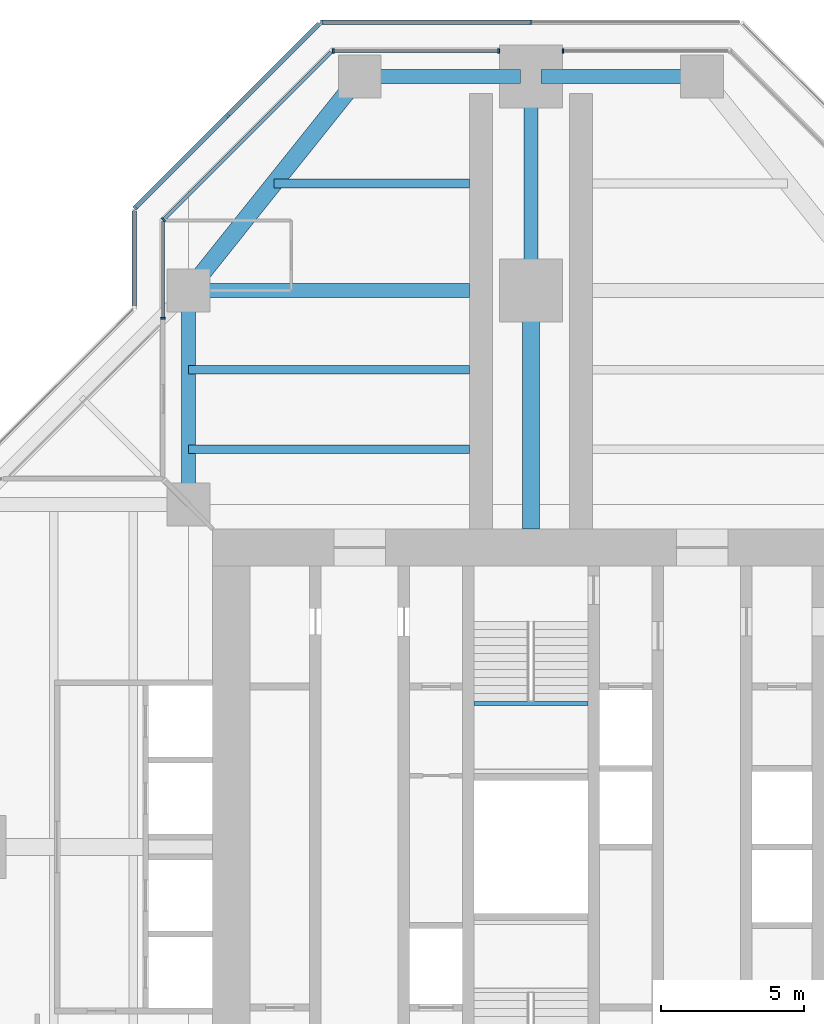
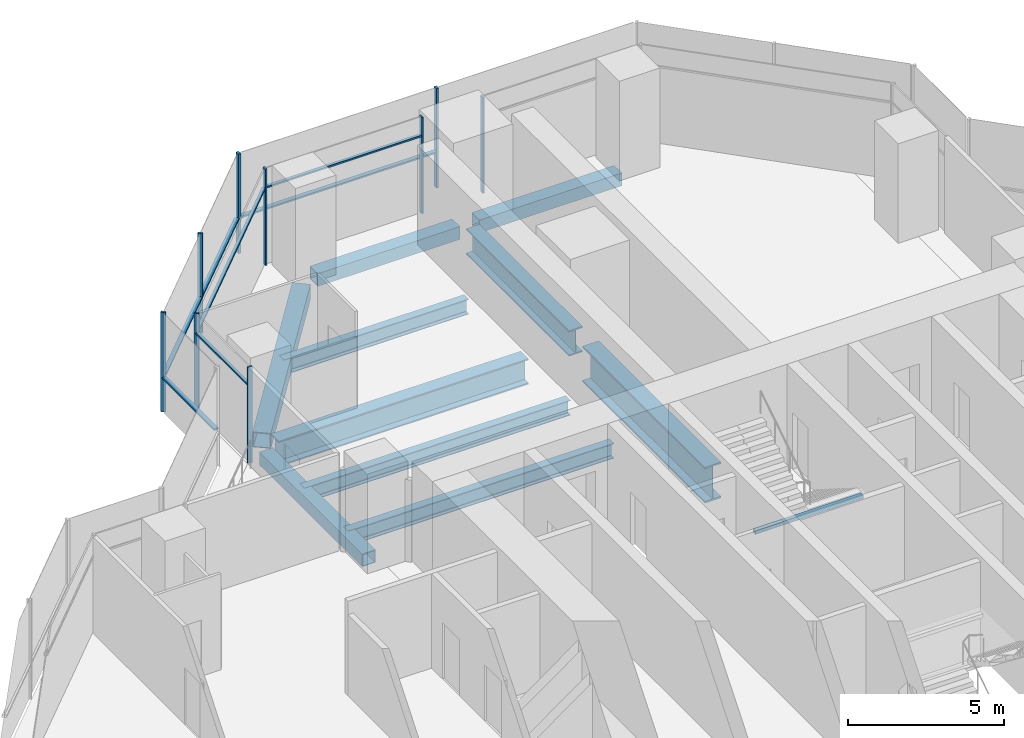
# One storey, part 7 of 17: 16 members, 11 beams, 7 elements without a shape of their own.
"""IFC4 building model written with IfcOpenShell, lengths in metres."""

import ifcopenshell
import ifcopenshell.guid

model = None  # the IFC model being written
_history = None  # IfcOwnerHistory: only IFC2X3 demands one
_inside = {}  # id of a spatial element -> (the spatial element, [elements in it])
_under = {}  # id of a project, library or spatial element -> (it, [spatial elements below it])
_declared = {}  # id of a project -> (the project, [libraries it declares])
_typed = {}  # id of a type object -> (the type object, [elements of that type])
_made_of = {}  # id of a material, layer set ... -> (it, [elements and type objects made of it])


def new_model(schema):
    """Start an empty IFC model of exactly this schema.

    Asked for "IFC4X3", IfcOpenShell would pick the latest addendum, in which some entities
    have other attributes; the version numbers below select the first issue.
    IFC2X3 requires an IfcOwnerHistory on every rooted entity: one is made here for all.
    """
    global model, _history
    if schema == "IFC4X3":
        model = ifcopenshell.file(schema_version=(4, 3, 0, 0))
    else:
        model = ifcopenshell.file(schema=schema)
    _inside.clear()
    _under.clear()
    _declared.clear()
    _typed.clear()
    _made_of.clear()
    _history = None
    if model.schema == "IFC2X3":
        org = make("IfcOrganization", Name="unknown")
        user = make(
            "IfcPersonAndOrganization",
            ThePerson=make("IfcPerson", FamilyName="unknown"),
            TheOrganization=org,
        )
        app = make(
            "IfcApplication",
            ApplicationDeveloper=org,
            Version="unknown",
            ApplicationFullName="unknown",
            ApplicationIdentifier="unknown",
        )
        _history = make(
            "IfcOwnerHistory",
            OwningUser=user,
            OwningApplication=app,
            ChangeAction="ADDED",
            CreationDate=0,
        )
    return model


def make(cls, **values):
    """One entity of the class cls with the attributes given. An attribute that is None is left unset."""
    return model.create_entity(
        cls, **{name: value for name, value in values.items() if value is not None}
    )


def rooted(cls, **values):
    """An entity with a GlobalId (a new one), such as an element, a storey or a relation."""
    return make(cls, GlobalId=ifcopenshell.guid.new(), OwnerHistory=_history, **values)


def si_unit(unit_type, name, prefix=None):
    """IfcSIUnit, for example si_unit("LENGTHUNIT", "METRE", prefix="MILLI")."""
    return make("IfcSIUnit", UnitType=unit_type, Prefix=prefix, Name=name)


def assignment(units):
    """IfcUnitAssignment: the units of a project."""
    return None if units is None else make("IfcUnitAssignment", Units=units)


def point(xyz):
    """IfcCartesianPoint."""
    return None if xyz is None else make("IfcCartesianPoint", Coordinates=xyz)


def direction(xyz):
    """IfcDirection."""
    return None if xyz is None else make("IfcDirection", DirectionRatios=xyz)


def frame(location, z_axis=None, x_axis=None):
    """IfcAxis2Placement3D, a coordinate frame: its origin and axes. An axis left out is left unset."""
    return make(
        "IfcAxis2Placement3D",
        Location=point(location),
        Axis=direction(z_axis),
        RefDirection=direction(x_axis),
    )


def frame_2d(location, x_axis=None):
    """IfcAxis2Placement2D, a coordinate frame in the plane: its origin and x axis."""
    return make(
        "IfcAxis2Placement2D", Location=point(location), RefDirection=direction(x_axis)
    )


def origin():
    """The frame at (0, 0, 0) with its axes left unset."""
    return frame((0.0, 0.0, 0.0))


def origin_2d():
    """The frame at (0, 0) in the plane with its x axis left unset."""
    return frame_2d((0.0, 0.0))


def place(relative_to, where):
    """IfcLocalPlacement: puts the frame where relative to a parent placement (None: the world)."""
    return make(
        "IfcLocalPlacement", PlacementRelTo=relative_to, RelativePlacement=where
    )


def context(
    kind, dimensions, precision=None, world=None, true_north=None, identifier=None
):
    """IfcGeometricRepresentationContext, for example the 3D "Model" context."""
    return make(
        "IfcGeometricRepresentationContext",
        ContextIdentifier=identifier,
        ContextType=kind,
        CoordinateSpaceDimension=dimensions,
        Precision=precision,
        WorldCoordinateSystem=world,
        TrueNorth=true_north,
    )


def subcontext(parent, identifier, kind, view, scale=None):
    """IfcGeometricRepresentationSubContext, for example "Body" below "Model"."""
    return make(
        "IfcGeometricRepresentationSubContext",
        ContextIdentifier=identifier,
        ContextType=kind,
        ParentContext=parent,
        TargetScale=scale,
        TargetView=view,
    )


def project(units=None, contexts=None):
    """IfcProject with its units and contexts."""
    return rooted(
        "IfcProject",
        Name="project",
        RepresentationContexts=contexts,
        UnitsInContext=assignment(units),
    )


def spatial(cls, under=None, at=None, **own):
    """A site, building, storey or space (cls), placed at a placement, below another one or the project."""
    s = rooted(cls, ObjectPlacement=at, **own)
    if under is not None:
        _under.setdefault(under.id(), (under, []))[1].append(s)
    return s


def profile(cls, at=None, kind="AREA", **sizes):
    """A parametric profile (cls). Its sizes go by their IFC names, for example OverallWidth=200.0."""
    return make(cls, ProfileType=kind, Position=at, **sizes)


def rectangle(**sizes):
    """IfcRectangleProfileDef."""
    return profile("IfcRectangleProfileDef", **sizes)


def hollow_rectangle(**sizes):
    """IfcRectangleHollowProfileDef."""
    return profile("IfcRectangleHollowProfileDef", **sizes)


def i_section(**sizes):
    """IfcIShapeProfileDef."""
    return profile("IfcIShapeProfileDef", **sizes)


def extrude(swept, where, along, depth):
    """IfcExtrudedAreaSolid: the profile swept, set in the frame where, extruded along a direction by depth."""
    return make(
        "IfcExtrudedAreaSolid",
        SweptArea=swept,
        Position=where,
        ExtrudedDirection=direction(along),
        Depth=depth,
    )


def shape(context_of_items, identifier, shape_type, items):
    """IfcShapeRepresentation: the items that make up one representation, for example the "Body"."""
    return make(
        "IfcShapeRepresentation",
        ContextOfItems=context_of_items,
        RepresentationIdentifier=identifier,
        RepresentationType=shape_type,
        Items=items,
    )


def material(Name=None, Category=None):
    """IfcMaterial."""
    return make("IfcMaterial", Name=Name, Category=Category)


def material_profile(
    of_material, cross_section, Name=None, Category=None, Priority=None
):
    """IfcMaterialProfile: a cross section and its material."""
    return make(
        "IfcMaterialProfile",
        Name=Name,
        Material=of_material,
        Profile=cross_section,
        Priority=Priority,
        Category=Category,
    )


def profile_set(profiles, Name=None, composite=None):
    """IfcMaterialProfileSet."""
    return make(
        "IfcMaterialProfileSet",
        Name=Name,
        MaterialProfiles=profiles,
        CompositeProfile=composite,
    )


def made_of(thing, what):
    """Note that an element or type object is made of a material, layer set ...; save() writes the relation."""
    if what is not None:
        _made_of.setdefault(what.id(), (what, []))[1].append(thing)
    return thing


def type_object(cls, material=None, **own):
    """A type object (cls), such as IfcWallType, which elements share."""
    return made_of(rooted(cls, **own), material)


def element(
    cls,
    number,
    at=None,
    inside=None,
    cuts=None,
    type_object=None,
    material=None,
    context=None,
    identifier="Body",
    shape_type=None,
    held_by="IfcProductDefinitionShape",
    body=None,
    shapes=None,
    **own,
):
    """One element of the class cls, such as IfcWall. Its Tag is "e" and its number.

    at: its placement. inside: the storey or other place that contains it. cuts: it is an
    opening in that element (IfcRelVoidsElement). A single representation is given by context,
    identifier, shape_type and body (its items); several are given by shapes. held_by: the class
    of the entity that holds the representations. save() writes the other relations.
    """
    e = rooted(cls, Tag="e%d" % number, ObjectPlacement=at, **own)
    if body is not None:
        shapes = [shape(context, identifier, shape_type, body)]
    if shapes is not None:
        e.Representation = make(held_by, Representations=shapes)
    if inside is not None:
        _inside.setdefault(inside.id(), (inside, []))[1].append(e)
    if cuts is not None:
        rooted(
            "IfcRelVoidsElement", RelatingBuildingElement=cuts, RelatedOpeningElement=e
        )
    if type_object is not None:
        _typed.setdefault(type_object.id(), (type_object, []))[1].append(e)
    return made_of(e, material)


def aggregate(whole, parts):
    """IfcRelAggregates: a whole, such as a stair, and the parts it consists of."""
    return rooted("IfcRelAggregates", RelatingObject=whole, RelatedObjects=parts)


def save(model, path):
    """Write the relations noted so far, then the file.

    IfcRelAggregates (storeys below a building ...), IfcRelContainedInSpatialStructure (elements
    in a storey), IfcRelDefinesByType, IfcRelAssociatesMaterial and IfcRelDeclares: one each for
    every whole, place, type object, material and project.
    """
    for whole, parts in _under.values():
        aggregate(whole, parts)
    for where, things in _inside.values():
        rooted(
            "IfcRelContainedInSpatialStructure",
            RelatedElements=things,
            RelatingStructure=where,
        )
    for kind, things in _typed.values():
        rooted("IfcRelDefinesByType", RelatedObjects=things, RelatingType=kind)
    for what, things in _made_of.values():
        rooted("IfcRelAssociatesMaterial", RelatedObjects=things, RelatingMaterial=what)
    for by, libraries in _declared.values():
        rooted("IfcRelDeclares", RelatingContext=by, RelatedDefinitions=libraries)
    model.write(path)


model = new_model("IFC4")

# Units and contexts
model_context = context("Model", 3, precision=1e-05, world=origin(), true_north=direction((0.0, 1.0)))
body_context = subcontext(model_context, "Body", "Model", "MODEL_VIEW")
ifc_project = project(units=[si_unit("LENGTHUNIT", "METRE"), si_unit("AREAUNIT", "SQUARE_METRE"), si_unit("VOLUMEUNIT", "CUBIC_METRE"), si_unit("PLANEANGLEUNIT", "RADIAN"), si_unit("MASSUNIT", "GRAM", prefix="KILO")], contexts=[model_context])

# Site, building, storey
site_placement = place(None, origin())
site = spatial("IfcSite", under=ifc_project, at=site_placement, CompositionType="ELEMENT")
building_placement = place(site_placement, origin())
building = spatial("IfcBuilding", under=site, at=building_placement, Name="Mizan Broadcast Tower", CompositionType="ELEMENT")
storey_placement = place(building_placement, frame((0.0, 0.0, 243.89990234375)))
storey = spatial("IfcBuildingStorey", under=building, at=storey_placement, Name="L57", CompositionType="ELEMENT", Elevation=243.89990234375)

# Beams
ifc_material_1 = material(Name="Steel S355", Category="steel")
ifc_material_profile_1 = material_profile(ifc_material_1, hollow_rectangle(XDim=0.5, YDim=0.5, WallThickness=0.030029296875, at=origin_2d()), Name="BOX 500x500x30")
ifc_profile_set_1 = profile_set([ifc_material_profile_1], Name="Steel S355")
beam_type_1 = type_object("IfcBeamType", Name="EDGE BEAM BOX 500x500x30", PredefinedType="SPANDREL", material=ifc_profile_set_1)
beam_1_placement = place(storey_placement, frame((5.639892578125, 27.0, -0.3798828125), z_axis=(-1.0, 0.0, 0.0), x_axis=(0.0, -1.0, 0.0)))
element("IfcBeam", 1, at=beam_1_placement, inside=storey, type_object=beam_type_1, Name="Edge beam BOX 500x500x30 L57 north arm", PredefinedType="SPANDREL", context=body_context, shape_type="SweptSolid", body=[
    extrude(hollow_rectangle(XDim=0.5, YDim=0.5, WallThickness=0.030029296875, at=origin_2d()), origin(), (0.0, 0.0, 1.0), 5.27978515625),
])
beam_2_placement = place(storey_placement, frame((-12.0, 12.449951171875, -0.3798828125), z_axis=(0.0, 1.0, 0.0), x_axis=(-1.0, 0.0, 0.0)))
element("IfcBeam", 2, at=beam_2_placement, inside=storey, type_object=beam_type_1, Name="Edge beam BOX 500x500x30 L57 north arm", PredefinedType="SPANDREL", context=body_context, shape_type="SweptSolid", body=[
    extrude(hollow_rectangle(XDim=0.5, YDim=0.5, WallThickness=0.030029296875, at=origin_2d()), origin(), (0.0, 0.0, 1.0), 6.60009765625),
])
beam_3_placement = place(storey_placement, frame((-5.639892578125, 27.0, -0.3798828125), z_axis=(1.0, 0.0, 0.0), x_axis=(0.0, 1.0, 0.0)))
element("IfcBeam", 3, at=beam_3_placement, inside=storey, type_object=beam_type_1, Name="Edge beam BOX 500x500x30 L57 north arm", PredefinedType="SPANDREL", context=body_context, shape_type="SweptSolid", body=[
    extrude(hollow_rectangle(XDim=0.5, YDim=0.5, WallThickness=0.030029296875, at=origin_2d()), origin(), (0.0, 0.0, 1.0), 5.27978515625),
])
ifc_material_2 = material(Name="Steel S355", Category="steel")
ifc_material_profile_2 = material_profile(ifc_material_2, hollow_rectangle(XDim=0.60009765625, YDim=0.60009765625, WallThickness=0.030029296875, at=origin_2d()), Name="BOX 600x600x30")
ifc_profile_set_2 = profile_set([ifc_material_profile_2], Name="Steel S355")
beam_type_2 = type_object("IfcBeamType", Name="EDGE BEAM BOX 600x600x30", PredefinedType="SPANDREL", material=ifc_profile_set_2)
beam_4_placement = place(storey_placement, frame((-11.639892578125, 19.949951171875, -0.429931640625), z_axis=(0.624673911726, 0.780885717636, 0.0), x_axis=(-0.780885717636, 0.624673911726, 0.0)))
element("IfcBeam", 4, at=beam_4_placement, inside=storey, type_object=beam_type_2, Name="Edge beam BOX 600x600x30 L57 north arm", PredefinedType="SPANDREL", context=body_context, shape_type="SweptSolid", body=[
    extrude(hollow_rectangle(XDim=0.60009765625, YDim=0.60009765625, WallThickness=0.030029296875, at=origin_2d()), origin(), (0.0, 0.0, 1.0), 8.4521484375),
])
ifc_material_3 = material(Name="Steel S460", Category="steel")
ifc_material_profile_3 = material_profile(ifc_material_3, i_section(OverallWidth=0.5, OverallDepth=1.0, WebThickness=0.02490234375, FlangeThickness=0.050048828125, at=origin_2d()), Name="WPG 1000x500")
ifc_profile_set_3 = profile_set([ifc_material_profile_3], Name="Steel S460")
beam_type_3 = type_object("IfcBeamType", Name="GIRDER WPG 1000x500", PredefinedType="BEAM", material=ifc_profile_set_3)
beam_5_placement = place(storey_placement, frame((0.0, 19.949951171875, -0.6298828125), z_axis=(0.0, 1.0, 0.0), x_axis=(-1.0, 0.0, 0.0)))
element("IfcBeam", 5, at=beam_5_placement, inside=storey, type_object=beam_type_3, Name="Girder WPG 1000x500 L57 north arm", PredefinedType="BEAM", context=body_context, shape_type="SweptSolid", body=[
    extrude(i_section(OverallWidth=0.5, OverallDepth=1.0, WebThickness=0.02490234375, FlangeThickness=0.050048828125, at=origin_2d()), origin(), (0.0, 0.0, 1.0), 6.60009765625),
])
beam_6_placement = place(storey_placement, frame((-11.408935546875, 19.5, -0.6298828125), z_axis=(1.0, 0.0, 0.0), x_axis=(0.0, 1.0, 0.0)))
element("IfcBeam", 6, at=beam_6_placement, inside=storey, type_object=beam_type_3, Name="Girder WPG 1000x500 L57 north arm", PredefinedType="BEAM", context=body_context, shape_type="SweptSolid", body=[
    extrude(i_section(OverallWidth=0.5, OverallDepth=1.0, WebThickness=0.02490234375, FlangeThickness=0.050048828125, at=origin_2d()), origin(), (0.0, 0.0, 1.0), 9.259033203125),
])
ifc_material_4 = material(Name="Steel S460", Category="steel")
ifc_material_profile_4 = material_profile(ifc_material_4, i_section(OverallWidth=0.60009765625, OverallDepth=1.39990234375, WebThickness=0.02490234375, FlangeThickness=0.06005859375, at=origin_2d()), Name="WPG 1400x600")
ifc_profile_set_4 = profile_set([ifc_material_profile_4], Name="Steel S460")
beam_type_4 = type_object("IfcBeamType", Name="GIRDER WPG 1400x600", PredefinedType="BEAM", material=ifc_profile_set_4)
beam_7_placement = place(storey_placement, frame((0.0, 11.14990234375, -0.829833984375), z_axis=(0.0, 1.0, 0.0), x_axis=(-1.0, 0.0, 0.0)))
element("IfcBeam", 7, at=beam_7_placement, inside=storey, type_object=beam_type_4, Name="Girder WPG 1400x600 L57 north arm", PredefinedType="BEAM", context=body_context, shape_type="SweptSolid", body=[
    extrude(i_section(OverallWidth=0.60009765625, OverallDepth=1.39990234375, WebThickness=0.02490234375, FlangeThickness=0.06005859375, at=origin_2d()), origin(), (0.0, 0.0, 1.0), 7.84912109375),
])

# Curtain wall, member
ifc_material_5 = material(Name="Aluminium framed glazing", Category="aluminium")
curtain_wall_type_1 = type_object("IfcCurtainWallType", Name="INNER SKIN HIGH ZONE", PredefinedType="USERDEFINED", material=ifc_material_5)
curtain_wall_1_placement = place(storey_placement, origin())
curtain_wall_1 = element("IfcCurtainWall", 8, at=curtain_wall_1_placement, inside=storey, type_object=curtain_wall_type_1, Name="Inner skin high zone L57 N end", ObjectType="INNER SKIN HIGH ZONE", PredefinedType="USERDEFINED")
ifc_material_6 = material(Name="Aluminium, pale anodised", Category="aluminium")
ifc_material_profile_5 = material_profile(ifc_material_6, rectangle(XDim=0.159912109375, YDim=0.06005859375, at=origin_2d()), Name="MULLION 160x60")
ifc_profile_set_5 = profile_set([ifc_material_profile_5], Name="Aluminium, pale anodised")
member_type_1 = type_object("IfcMemberType", Name="INNER SKIN MULLION 60x160", PredefinedType="MULLION", material=ifc_profile_set_5)
member_1_placement = place(storey_placement, frame((1.1298828125, 27.89990234375, 0.0), z_axis=(0.0, 0.0, 1.0), x_axis=(0.0, -1.0, 0.0)))
member_1 = element("IfcMember", 9, at=member_1_placement, type_object=member_type_1, Name="Inner skin high zone L57 N end mullion 2", PredefinedType="MULLION", context=body_context, shape_type="SweptSolid", body=[
    extrude(rectangle(XDim=0.159912109375, YDim=0.06005859375, at=origin_2d()), origin(), (0.0, 0.0, 1.0), 3.77001953125),
])
aggregate(curtain_wall_1, [member_1])

# Curtain wall, members
curtain_wall_2_placement = place(storey_placement, origin())
curtain_wall_2 = element("IfcCurtainWall", 10, at=curtain_wall_2_placement, inside=storey, type_object=curtain_wall_type_1, Name="Inner skin high zone L57 N end", ObjectType="INNER SKIN HIGH ZONE", PredefinedType="USERDEFINED")
member_2_placement = place(storey_placement, frame((-1.1298828125, 27.89990234375, 0.0), z_axis=(0.0, 0.0, 1.0), x_axis=(0.0, -1.0, 0.0)))
member_2 = element("IfcMember", 11, at=member_2_placement, type_object=member_type_1, Name="Inner skin high zone L57 N end mullion 1", PredefinedType="MULLION", context=body_context, shape_type="SweptSolid", body=[
    extrude(rectangle(XDim=0.159912109375, YDim=0.06005859375, at=origin_2d()), origin(), (0.0, 0.0, 1.0), 3.77001953125),
])
member_3_placement = place(storey_placement, frame((-6.928466796875, 27.89990234375, 0.0), z_axis=(0.0, 0.0, 1.0), x_axis=(0.0, -1.0, 0.0)))
member_3 = element("IfcMember", 12, at=member_3_placement, type_object=member_type_1, Name="Inner skin high zone L57 N end mullion 2", PredefinedType="MULLION", context=body_context, shape_type="SweptSolid", body=[
    extrude(rectangle(XDim=0.159912109375, YDim=0.06005859375, at=origin_2d()), origin(), (0.0, 0.0, 1.0), 3.77001953125),
])

# Curtain wall, member
curtain_wall_3_placement = place(storey_placement, origin())
curtain_wall_3 = element("IfcCurtainWall", 13, at=curtain_wall_3_placement, inside=storey, type_object=curtain_wall_type_1, Name="Inner skin high zone L57 N chamfer", ObjectType="INNER SKIN HIGH ZONE", PredefinedType="USERDEFINED")
member_4_placement = place(storey_placement, frame((-12.87890625, 21.979736328125, 0.0), z_axis=(0.0, 0.0, 1.0), x_axis=(0.707106781187, -0.707106781187, 0.0)))
member_4 = element("IfcMember", 14, at=member_4_placement, type_object=member_type_1, Name="Inner skin high zone L57 N chamfer mullion 2", PredefinedType="MULLION", context=body_context, shape_type="SweptSolid", body=[
    extrude(rectangle(XDim=0.159912109375, YDim=0.06005859375, at=origin_2d()), origin(), (0.0, 0.0, 1.0), 3.77001953125),
])

curtain_wall_4_placement = place(storey_placement, origin())
curtain_wall_4 = element("IfcCurtainWall", 15, at=curtain_wall_4_placement, inside=storey, type_object=curtain_wall_type_1, Name="Inner skin high zone L57 N side", ObjectType="INNER SKIN HIGH ZONE", PredefinedType="USERDEFINED")
member_5_placement = place(storey_placement, frame((-12.89990234375, 18.530029296875, 0.0), z_axis=(0.0, 0.0, 1.0), x_axis=(1.0, 0.0, 0.0)))
member_5 = element("IfcMember", 16, at=member_5_placement, type_object=member_type_1, Name="Inner skin high zone L57 N side mullion 2", PredefinedType="MULLION", context=body_context, shape_type="SweptSolid", body=[
    extrude(rectangle(XDim=0.159912109375, YDim=0.06005859375, at=origin_2d()), origin(), (0.0, 0.0, 1.0), 3.77001953125),
])

# Member
ifc_material_7 = material(Name="Aluminium, pale anodised", Category="aluminium")
ifc_material_profile_6 = material_profile(ifc_material_7, rectangle(XDim=0.1201171875, YDim=0.06005859375, at=origin_2d()), Name="TRANSOM 120x60")
ifc_profile_set_6 = profile_set([ifc_material_profile_6], Name="Aluminium, pale anodised")
member_type_2 = type_object("IfcMemberType", Name="INNER SKIN TRANSOM 60x120", PredefinedType="USERDEFINED", material=ifc_profile_set_6)
member_6_placement = place(storey_placement, frame((-1.159912109375, 27.89990234375, 3.030029296875), z_axis=(-1.0, 0.0, 0.0), x_axis=(0.0, -1.0, 0.0)))
member_6 = element("IfcMember", 17, at=member_6_placement, type_object=member_type_2, Name="Inner skin high zone L57 N end transom 1.1", ObjectType="TRANSOM", PredefinedType="USERDEFINED", context=body_context, shape_type="SweptSolid", body=[
    extrude(rectangle(XDim=0.1201171875, YDim=0.06005859375, at=origin_2d()), origin(), (0.0, 0.0, 1.0), 5.73876953125),
])

aggregate(curtain_wall_2, [member_2, member_3, member_6])

member_7_placement = place(storey_placement, frame((-7.0009765625, 27.857666015625, 3.030029296875), z_axis=(-0.707106781187, -0.707106781187, 0.0), x_axis=(0.707106781187, -0.707106781187, 0.0)))
member_7 = element("IfcMember", 18, at=member_7_placement, type_object=member_type_2, Name="Inner skin high zone L57 N chamfer transom 1.1", ObjectType="TRANSOM", PredefinedType="USERDEFINED", context=body_context, shape_type="SweptSolid", body=[
    extrude(rectangle(XDim=0.1201171875, YDim=0.06005859375, at=origin_2d()), origin(), (0.0, 0.0, 1.0), 8.28271484375),
])

aggregate(curtain_wall_3, [member_4, member_7])

member_8_placement = place(storey_placement, frame((-12.89990234375, 21.898681640625, 3.030029296875), z_axis=(0.0, -1.0, 0.0), x_axis=(1.0, 0.0, 0.0)))
member_8 = element("IfcMember", 19, at=member_8_placement, type_object=member_type_2, Name="Inner skin high zone L57 N side transom 1.1", ObjectType="TRANSOM", PredefinedType="USERDEFINED", context=body_context, shape_type="SweptSolid", body=[
    extrude(rectangle(XDim=0.1201171875, YDim=0.06005859375, at=origin_2d()), origin(), (0.0, 0.0, 1.0), 3.338623046875),
])

aggregate(curtain_wall_4, [member_5, member_8])

# Beam
ifc_material_8 = material(Name="Steel S355", Category="steel")
ifc_material_profile_7 = material_profile(ifc_material_8, hollow_rectangle(XDim=0.14990234375, YDim=0.14990234375, WallThickness=0.008056640625, InnerFilletRadius=0.008056640625, OuterFilletRadius=0.011962890625, at=origin_2d()), Name="SHS 150x150x8")
ifc_profile_set_7 = profile_set([ifc_material_profile_7], Name="Steel S355")
beam_type_5 = type_object("IfcBeamType", Name="LANDING TRIMMER SHS 150x150x8", PredefinedType="BEAM", material=ifc_profile_set_7)
beam_8_placement = place(storey_placement, frame((2.0, 5.02490234375, 1.675048828125), z_axis=(-1.0, 0.0, 0.0), x_axis=(0.0, -1.0, 0.0)))
element("IfcBeam", 20, at=beam_8_placement, inside=storey, type_object=beam_type_5, Name="Stair B landing trimmer L57", PredefinedType="BEAM", context=body_context, shape_type="SweptSolid", body=[
    extrude(hollow_rectangle(XDim=0.14990234375, YDim=0.14990234375, WallThickness=0.008056640625, InnerFilletRadius=0.008056640625, OuterFilletRadius=0.011962890625, at=origin_2d()), origin(), (0.0, 0.0, 1.0), 4.0),
])

# Curtain wall, members
ifc_material_9 = material(Name="Aluminium framed glazing", Category="aluminium")
curtain_wall_type_2 = type_object("IfcCurtainWallType", Name="OUTER SKIN", PredefinedType="USERDEFINED", material=ifc_material_9)
curtain_wall_5_placement = place(storey_placement, origin())
curtain_wall_5 = element("IfcCurtainWall", 21, at=curtain_wall_5_placement, inside=storey, type_object=curtain_wall_type_2, Name="Outer skin L57 N end", ObjectType="OUTER SKIN", PredefinedType="USERDEFINED")
ifc_material_10 = material(Name="Aluminium, pale anodised", Category="aluminium")
ifc_material_profile_8 = material_profile(ifc_material_10, rectangle(XDim=0.159912109375, YDim=0.080078125, at=origin_2d()), Name="MULLION 160x80")
ifc_profile_set_8 = profile_set([ifc_material_profile_8], Name="Aluminium, pale anodised")
member_type_3 = type_object("IfcMemberType", Name="OUTER SKIN MULLION 80x160", PredefinedType="MULLION", material=ifc_profile_set_8)
member_9_placement = place(storey_placement, frame((0.0, 28.89990234375, 0.0), z_axis=(0.0, 0.0, 1.0), x_axis=(0.0, -1.0, 0.0)))
member_9 = element("IfcMember", 22, at=member_9_placement, type_object=member_type_3, Name="Outer skin L57 N end mullion 2", PredefinedType="MULLION", context=body_context, shape_type="SweptSolid", body=[
    extrude(rectangle(XDim=0.159912109375, YDim=0.080078125, at=origin_2d()), origin(), (0.0, 0.0, 1.0), 3.900146484375),
])
member_10_placement = place(storey_placement, frame((-7.332763671875, 28.89990234375, 0.0), z_axis=(0.0, 0.0, 1.0), x_axis=(0.0, -1.0, 0.0)))
member_10 = element("IfcMember", 23, at=member_10_placement, type_object=member_type_3, Name="Outer skin L57 N end mullion 3", PredefinedType="MULLION", context=body_context, shape_type="SweptSolid", body=[
    extrude(rectangle(XDim=0.159912109375, YDim=0.080078125, at=origin_2d()), origin(), (0.0, 0.0, 1.0), 3.900146484375),
])

curtain_wall_6_placement = place(storey_placement, origin())
curtain_wall_6 = element("IfcCurtainWall", 24, at=curtain_wall_6_placement, inside=storey, type_object=curtain_wall_type_2, Name="Outer skin L57 N chamfer", ObjectType="OUTER SKIN", PredefinedType="USERDEFINED")
member_11_placement = place(storey_placement, frame((-10.636474609375, 25.636474609375, 0.0), z_axis=(0.0, 0.0, 1.0), x_axis=(0.707106781187, -0.707106781187, 0.0)))
member_11 = element("IfcMember", 25, at=member_11_placement, type_object=member_type_3, Name="Outer skin L57 N chamfer mullion 2", PredefinedType="MULLION", context=body_context, shape_type="SweptSolid", body=[
    extrude(rectangle(XDim=0.159912109375, YDim=0.080078125, at=origin_2d()), origin(), (0.0, 0.0, 1.0), 3.900146484375),
])
member_12_placement = place(storey_placement, frame((-13.871826171875, 22.401123046875, 0.0), z_axis=(0.0, 0.0, 1.0), x_axis=(0.707106781187, -0.707106781187, 0.0)))
member_12 = element("IfcMember", 26, at=member_12_placement, type_object=member_type_3, Name="Outer skin L57 N chamfer mullion 3", PredefinedType="MULLION", context=body_context, shape_type="SweptSolid", body=[
    extrude(rectangle(XDim=0.159912109375, YDim=0.080078125, at=origin_2d()), origin(), (0.0, 0.0, 1.0), 3.900146484375),
])

# Member
ifc_material_11 = material(Name="Aluminium, pale anodised", Category="aluminium")
ifc_material_profile_9 = material_profile(ifc_material_11, rectangle(XDim=0.159912109375, YDim=0.06005859375, at=origin_2d()), Name="TRANSOM 160x60")
ifc_profile_set_9 = profile_set([ifc_material_profile_9], Name="Aluminium, pale anodised")
member_type_4 = type_object("IfcMemberType", Name="OUTER SKIN TRANSOM 60x160", PredefinedType="USERDEFINED", material=ifc_profile_set_9)
member_13_placement = place(storey_placement, frame((-0.0400390625, 28.89990234375, 1.400146484375), z_axis=(-1.0, 0.0, 0.0), x_axis=(0.0, -1.0, 0.0)))
member_13 = element("IfcMember", 27, at=member_13_placement, type_object=member_type_4, Name="Outer skin L57 N end transom 2.1", ObjectType="TRANSOM", PredefinedType="USERDEFINED", context=body_context, shape_type="SweptSolid", body=[
    extrude(rectangle(XDim=0.159912109375, YDim=0.06005859375, at=origin_2d()), origin(), (0.0, 0.0, 1.0), 7.252685546875),
])

aggregate(curtain_wall_5, [member_9, member_10, member_13])

member_14_placement = place(storey_placement, frame((-7.429443359375, 28.843505859375, 1.400146484375), z_axis=(-0.707106781187, -0.707106781187, 0.0), x_axis=(0.707106781187, -0.707106781187, 0.0)))
member_14 = element("IfcMember", 28, at=member_14_placement, type_object=member_type_4, Name="Outer skin L57 N chamfer transom 1.1", ObjectType="TRANSOM", PredefinedType="USERDEFINED", context=body_context, shape_type="SweptSolid", body=[
    extrude(rectangle(XDim=0.159912109375, YDim=0.06005859375, at=origin_2d()), origin(), (0.0, 0.0, 1.0), 4.495361328125),
])

member_15_placement = place(storey_placement, frame((-10.664794921875, 25.608154296875, 1.400146484375), z_axis=(-0.707106781187, -0.707106781187, 0.0), x_axis=(0.707106781187, -0.707106781187, 0.0)))
member_15 = element("IfcMember", 29, at=member_15_placement, type_object=member_type_4, Name="Outer skin L57 N chamfer transom 2.1", ObjectType="TRANSOM", PredefinedType="USERDEFINED", context=body_context, shape_type="SweptSolid", body=[
    extrude(rectangle(XDim=0.159912109375, YDim=0.06005859375, at=origin_2d()), origin(), (0.0, 0.0, 1.0), 4.495361328125),
])

aggregate(curtain_wall_6, [member_11, member_12, member_14, member_15])

# Curtain wall, member
curtain_wall_7_placement = place(storey_placement, origin())
curtain_wall_7 = element("IfcCurtainWall", 30, at=curtain_wall_7_placement, inside=storey, type_object=curtain_wall_type_2, Name="Outer skin L57 N side", ObjectType="OUTER SKIN", PredefinedType="USERDEFINED")
member_16_placement = place(storey_placement, frame((-13.89990234375, 22.292724609375, 1.400146484375), z_axis=(0.0, -1.0, 0.0), x_axis=(1.0, 0.0, 0.0)))
member_16 = element("IfcMember", 31, at=member_16_placement, type_object=member_type_4, Name="Outer skin L57 N side transom 1.1", ObjectType="TRANSOM", PredefinedType="USERDEFINED", context=body_context, shape_type="SweptSolid", body=[
    extrude(rectangle(XDim=0.159912109375, YDim=0.06005859375, at=origin_2d()), origin(), (0.0, 0.0, 1.0), 3.33984375),
])
aggregate(curtain_wall_7, [member_16])

# Beams
ifc_material_12 = material(Name="Steel S355", Category="steel")
ifc_material_profile_10 = material_profile(ifc_material_12, i_section(OverallWidth=0.300048828125, OverallDepth=0.590087890625, WebThickness=0.012939453125, FlangeThickness=0.02490234375, FilletRadius=0.027099609375, at=origin_2d()), Name="HEA 600")
ifc_profile_set_10 = profile_set([ifc_material_profile_10], Name="Steel S355")
beam_type_6 = type_object("IfcBeamType", Name="SECONDARY BEAM HEA 600", PredefinedType="JOIST", material=ifc_profile_set_10)
for number, where, z_axis, x_axis, name in (
    (32, (-12.0, 13.933349609375, -0.4248046875), (1.0, 0.0, 0.0), (0.0, 1.0, 0.0), "Secondary beam HEA 600 L57 north arm"),
    (33, (-12.0, 16.716552734375, -0.4248046875), (1.0, 0.0, 0.0), (0.0, 1.0, 0.0), "Secondary beam HEA 600 L57 north arm"),
):
    element("IfcBeam", number, at=place(storey_placement, frame(where, z_axis=z_axis, x_axis=x_axis)), inside=storey, type_object=beam_type_6, Name=name, PredefinedType="JOIST", context=body_context, shape_type="SweptSolid", body=[
        extrude(i_section(OverallWidth=0.300048828125, OverallDepth=0.590087890625, WebThickness=0.012939453125, FlangeThickness=0.02490234375, FilletRadius=0.027099609375, at=origin_2d()), origin(), (0.0, 0.0, 1.0), 9.85009765625),
    ])
beam_9_placement = place(storey_placement, frame((-9.0, 23.25, -0.4248046875), z_axis=(1.0, 0.0, 0.0), x_axis=(0.0, 1.0, 0.0)))
element("IfcBeam", 34, at=beam_9_placement, inside=storey, type_object=beam_type_6, Name="Secondary beam HEA 600 L57 north arm", PredefinedType="JOIST", context=body_context, shape_type="SweptSolid", body=[
    extrude(i_section(OverallWidth=0.300048828125, OverallDepth=0.590087890625, WebThickness=0.012939453125, FlangeThickness=0.02490234375, FilletRadius=0.027099609375, at=origin_2d()), origin(), (0.0, 0.0, 1.0), 6.85009765625),
])

save(model, "model.ifc")
